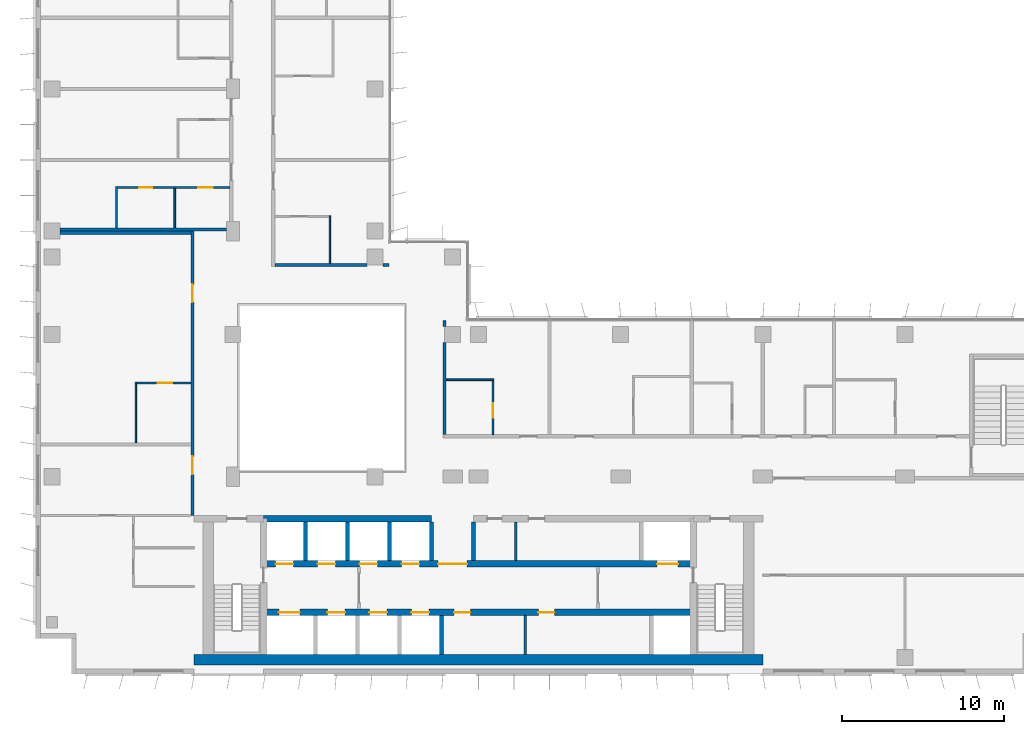
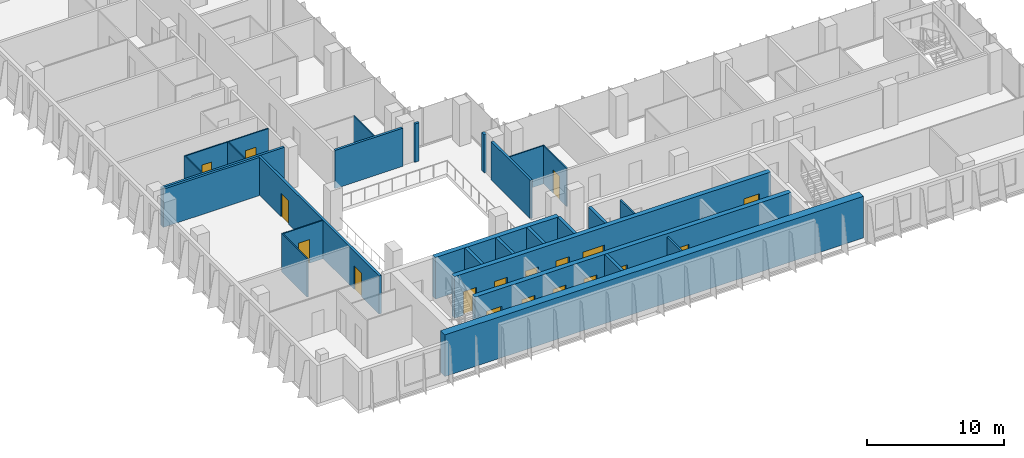
# One storey, part 13 of 21: 27 walls, 18 doors, 18 openings.
"""IFC4 building model written with IfcOpenShell, lengths in metres."""

from ifc_helpers import new_model, si_unit, direction, frame, frame_2d, origin, place, context, subcontext, project, spatial, rectangle, extrude, material, layer, layer_set, type_object, element, fill, save


model = new_model("IFC4")

# Units and contexts
model_context = context("Model", 3, precision=1e-05, world=origin(), true_north=direction((0.0, 1.0)))
body_context = subcontext(model_context, "Body", "Model", "MODEL_VIEW")
ifc_project = project(units=[si_unit("LENGTHUNIT", "METRE"), si_unit("AREAUNIT", "SQUARE_METRE"), si_unit("VOLUMEUNIT", "CUBIC_METRE"), si_unit("PLANEANGLEUNIT", "RADIAN"), si_unit("MASSUNIT", "GRAM", prefix="KILO")], contexts=[model_context])

# Site, building, storey
site_placement = place(None, origin())
site = spatial("IfcSite", under=ifc_project, at=site_placement, CompositionType="ELEMENT")
building_placement = place(site_placement, origin())
building = spatial("IfcBuilding", under=site, at=building_placement, Name="Kemantara Hotel Tower", CompositionType="ELEMENT")
storey_placement = place(building_placement, frame((0.0, 0.0, 175.300048828125)))
storey = spatial("IfcBuildingStorey", under=building, at=storey_placement, Name="L43", CompositionType="ELEMENT", Elevation=175.300048828125)

# Walls
ifc_material_1 = material(Name="Concrete fc 60 MPa", Category="concrete")
ifc_layer_1 = layer(ifc_material_1, 0.25)
ifc_layer_set_1 = layer_set([ifc_layer_1], Name="Concrete fc 60 MPa")
wall_type_1 = type_object("IfcWallType", Name="CORE WALL 250 FC60", PredefinedType="SHEAR", material=ifc_layer_set_1)
wall_1_placement = place(storey_placement, frame((25.10009765625, 1.199951171875, 0.0), z_axis=(0.0, 0.0, 1.0), x_axis=(0.0, 1.0, 0.0)))
element("IfcWall", 1, at=wall_1_placement, inside=storey, type_object=wall_type_1, Name="CORE WALL CW-DS25.1", PredefinedType="SHEAR", context=body_context, shape_type="SweptSolid", body=[
    extrude(rectangle(XDim=2.400146484375, YDim=0.25, at=frame_2d((1.2001953125, 0.0))), origin(), (0.0, 0.0, 1.0), 3.699951171875),
])
for number, where, z_axis, x_axis, name in (
    (2, (16.699951171875, 7.0, 0.0), (0.0, 0.0, 1.0), (0.0, 1.0, 0.0), "CORE WALL CW-DN16.7"),
    (3, (19.300048828125, 7.0, 0.0), (0.0, 0.0, 1.0), (0.0, 1.0, 0.0), "CORE WALL CW-DN19.3"),
    (4, (21.89990234375, 7.0, 0.0), (0.0, 0.0, 1.0), (0.0, 1.0, 0.0), "CORE WALL CW-DN21.9"),
    (5, (24.5, 7.0, 0.0), (0.0, 0.0, 1.0), (0.0, 1.0, 0.0), "CORE WALL CW-DN24.5"),
    (6, (27.10009765625, 7.0, 0.0), (0.0, 0.0, 1.0), (0.0, 1.0, 0.0), "CORE WALL CW-DN27.1"),
):
    element("IfcWall", number, at=place(storey_placement, frame(where, z_axis=z_axis, x_axis=x_axis)), inside=storey, type_object=wall_type_1, Name=name, PredefinedType="SHEAR", context=body_context, shape_type="SweptSolid", body=[
        extrude(rectangle(XDim=2.39990234375, YDim=0.25, at=frame_2d((1.199951171875, 0.0))), origin(), (0.0, 0.0, 1.0), 3.699951171875),
    ])
ifc_layer_2 = layer(ifc_material_1, 0.39990234375)
ifc_layer_set_2 = layer_set([ifc_layer_2], Name="Concrete fc 60 MPa")
wall_type_2 = type_object("IfcWallType", Name="CORE WALL 400 FC60", PredefinedType="SHEAR", material=ifc_layer_set_2)
wall_2_placement = place(storey_placement, frame((14.10009765625, 9.60009765625, 0.0), z_axis=(0.0, 0.0, 1.0), x_axis=(1.0, 0.0, 0.0)))
element("IfcWall", 7, at=wall_2_placement, inside=storey, type_object=wall_type_2, Name="CORE WALL CW-NN1", PredefinedType="SHEAR", context=body_context, shape_type="SweptSolid", body=[
    extrude(rectangle(XDim=10.39990234375, YDim=0.39990234375, at=frame_2d((5.199951171875, 0.0))), origin(), (0.0, 0.0, 1.0), 3.699951171875),
])

# Wall, openings, doors
wall_3_placement = place(storey_placement, frame((14.10009765625, 3.800048828125, 0.0), z_axis=(0.0, 0.0, 1.0), x_axis=(1.0, 0.0, 0.0)))
wall_3 = element("IfcWall", 8, at=wall_3_placement, inside=storey, type_object=wall_type_2, Name="CORE WALL CW-L1", PredefinedType="SHEAR", context=body_context, shape_type="SweptSolid", body=[
    extrude(rectangle(XDim=26.599853515625, YDim=0.39990234375, at=frame_2d((13.2998046875, 0.0))), origin(), (0.0, 0.0, 1.0), 3.699951171875),
])
opening_1_placement = place(wall_3_placement, frame((0.949951171875, 0.0, 0.0)))
opening_1 = element("IfcOpeningElement", 9, at=opening_1_placement, cuts=wall_3, Name="Opening C26-LD-FF1", PredefinedType="OPENING", context=body_context, shape_type="SweptSolid", body=[
    extrude(rectangle(XDim=1.300048828125, YDim=2.10009765625, at=frame_2d((0.64990234375, 1.050048828125))), frame((0.0, 0.2099609375, 0.0), z_axis=(0.0, -1.0, 0.0), x_axis=(1.0, 0.0, 0.0)), (0.0, 0.0, 1.0), 0.419921875),
])
opening_2_placement = place(wall_3_placement, frame((3.949951171875, 0.0, 0.0)))
opening_2 = element("IfcOpeningElement", 10, at=opening_2_placement, cuts=wall_3, Name="Opening C26-LD-SV1", PredefinedType="OPENING", context=body_context, shape_type="SweptSolid", body=[
    extrude(rectangle(XDim=1.10009765625, YDim=2.10009765625, at=frame_2d((0.550048828125, 1.050048828125))), frame((0.0, 0.2099609375, 0.0), z_axis=(0.0, -1.0, 0.0), x_axis=(1.0, 0.0, 0.0)), (0.0, 0.0, 1.0), 0.419921875),
])
opening_3_placement = place(wall_3_placement, frame((6.550048828125, 0.0, 0.0)))
opening_3 = element("IfcOpeningElement", 11, at=opening_3_placement, cuts=wall_3, Name="Opening C26-LD-SV2", PredefinedType="OPENING", context=body_context, shape_type="SweptSolid", body=[
    extrude(rectangle(XDim=1.10009765625, YDim=2.10009765625, at=frame_2d((0.550048828125, 1.050048828125))), frame((0.0, 0.2099609375, 0.0), z_axis=(0.0, -1.0, 0.0), x_axis=(1.0, 0.0, 0.0)), (0.0, 0.0, 1.0), 0.419921875),
])
opening_4_placement = place(wall_3_placement, frame((9.14990234375, 0.0, 0.0)))
opening_4 = element("IfcOpeningElement", 12, at=opening_4_placement, cuts=wall_3, Name="Opening C26-LD-SV3", PredefinedType="OPENING", context=body_context, shape_type="SweptSolid", body=[
    extrude(rectangle(XDim=1.10009765625, YDim=2.10009765625, at=frame_2d((0.550048828125, 1.050048828125))), frame((0.0, 0.2099609375, 0.0), z_axis=(0.0, -1.0, 0.0), x_axis=(1.0, 0.0, 0.0)), (0.0, 0.0, 1.0), 0.419921875),
])
opening_5_placement = place(wall_3_placement, frame((11.800048828125, 0.0, 0.0)))
opening_5 = element("IfcOpeningElement", 13, at=opening_5_placement, cuts=wall_3, Name="Opening C26-R-SM1", PredefinedType="OPENING", context=body_context, shape_type="SweptSolid", body=[
    extrude(rectangle(XDim=1.0, YDim=2.10009765625, at=frame_2d((0.5, 1.050048828125))), frame((0.0, 0.2099609375, 0.0), z_axis=(0.0, -1.0, 0.0), x_axis=(1.0, 0.0, 0.0)), (0.0, 0.0, 1.0), 0.419921875),
])
opening_6_placement = place(wall_3_placement, frame((17.0, 0.0, 0.0)))
opening_6 = element("IfcOpeningElement", 14, at=opening_6_placement, cuts=wall_3, Name="Opening C26-R-SM2", PredefinedType="OPENING", context=body_context, shape_type="SweptSolid", body=[
    extrude(rectangle(XDim=1.0, YDim=2.10009765625, at=frame_2d((0.5, 1.050048828125))), frame((0.0, 0.2099609375, 0.0), z_axis=(0.0, -1.0, 0.0), x_axis=(1.0, 0.0, 0.0)), (0.0, 0.0, 1.0), 0.419921875),
])
ifc_material_2 = material(Name="Steel fire door", Category="steel")
door_type_1 = type_object("IfcDoorType", Name="Fire door FD30S 1000 x 2100", OperationType="NOTDEFINED", PredefinedType="DOOR", material=ifc_material_2)
door_1_placement = place(opening_5_placement, frame((1.0, 0.0, 0.0), z_axis=(0.0, 0.0, 1.0), x_axis=(-1.0, 0.0, 0.0)))
door_1 = element("IfcDoor", 15, at=door_1_placement, inside=storey, type_object=door_type_1, Name="Staff Lounge door", OperationType="SINGLE_SWING_RIGHT", OverallHeight=2.10009765625, OverallWidth=1.0, PredefinedType="DOOR", context=body_context, shape_type="SweptSolid", body=[
    extrude(rectangle(XDim=1.0, YDim=2.10009765625, at=frame_2d((0.5, 1.050048828125))), frame((0.0, 0.02490234375, 0.0), z_axis=(0.0, -1.0, 0.0), x_axis=(1.0, 0.0, 0.0)), (0.0, 0.0, 1.0), 0.050048828125),
])
fill(opening_5, door_1)
door_2_placement = place(opening_6_placement, frame((1.0, 0.0, 0.0), z_axis=(0.0, 0.0, 1.0), x_axis=(-1.0, 0.0, 0.0)))
door_2 = element("IfcDoor", 16, at=door_2_placement, inside=storey, type_object=door_type_1, Name="Guest Pantry door", OperationType="SINGLE_SWING_LEFT", OverallHeight=2.10009765625, OverallWidth=1.0, PredefinedType="DOOR", context=body_context, shape_type="SweptSolid", body=[
    extrude(rectangle(XDim=1.0, YDim=2.10009765625, at=frame_2d((0.5, 1.050048828125))), frame((0.0, 0.02490234375, 0.0), z_axis=(0.0, -1.0, 0.0), x_axis=(1.0, 0.0, 0.0)), (0.0, 0.0, 1.0), 0.050048828125),
])
fill(opening_6, door_2)
ifc_material_3 = material(Name="Stainless steel lift door", Category="steel")
door_type_2 = type_object("IfcDoorType", Name="Lift landing door 1100 x 2100 FD60", OperationType="DOUBLE_DOOR_SLIDING", PredefinedType="DOOR", material=ifc_material_3)
door_3_placement = place(opening_2_placement, origin())
door_3 = element("IfcDoor", 17, at=door_3_placement, inside=storey, type_object=door_type_2, Name="Lift SV1 landing door", OperationType="DOUBLE_DOOR_SLIDING", OverallHeight=2.10009765625, OverallWidth=1.10009765625, PredefinedType="DOOR", context=body_context, shape_type="SweptSolid", body=[
    extrude(rectangle(XDim=1.10009765625, YDim=2.10009765625, at=frame_2d((0.550048828125, 1.050048828125))), frame((0.0, 0.02490234375, 0.0), z_axis=(0.0, -1.0, 0.0), x_axis=(1.0, 0.0, 0.0)), (0.0, 0.0, 1.0), 0.050048828125),
])
fill(opening_2, door_3)
door_4_placement = place(opening_3_placement, origin())
door_4 = element("IfcDoor", 18, at=door_4_placement, inside=storey, type_object=door_type_2, Name="Lift SV2 landing door", OperationType="DOUBLE_DOOR_SLIDING", OverallHeight=2.10009765625, OverallWidth=1.10009765625, PredefinedType="DOOR", context=body_context, shape_type="SweptSolid", body=[
    extrude(rectangle(XDim=1.10009765625, YDim=2.10009765625, at=frame_2d((0.550048828125, 1.050048828125))), frame((0.0, 0.02490234375, 0.0), z_axis=(0.0, -1.0, 0.0), x_axis=(1.0, 0.0, 0.0)), (0.0, 0.0, 1.0), 0.050048828125),
])
fill(opening_3, door_4)
door_5_placement = place(opening_4_placement, origin())
door_5 = element("IfcDoor", 19, at=door_5_placement, inside=storey, type_object=door_type_2, Name="Lift SV3 landing door", OperationType="DOUBLE_DOOR_SLIDING", OverallHeight=2.10009765625, OverallWidth=1.10009765625, PredefinedType="DOOR", context=body_context, shape_type="SweptSolid", body=[
    extrude(rectangle(XDim=1.10009765625, YDim=2.10009765625, at=frame_2d((0.550048828125, 1.050048828125))), frame((0.0, 0.02490234375, 0.0), z_axis=(0.0, -1.0, 0.0), x_axis=(1.0, 0.0, 0.0)), (0.0, 0.0, 1.0), 0.050048828125),
])
fill(opening_4, door_5)
door_type_3 = type_object("IfcDoorType", Name="Lift landing door 1300 x 2100 FD90", OperationType="DOUBLE_DOOR_SLIDING", PredefinedType="DOOR", material=ifc_material_3)
door_6_placement = place(opening_1_placement, origin())
door_6 = element("IfcDoor", 20, at=door_6_placement, inside=storey, type_object=door_type_3, Name="Lift FF1 landing door", OperationType="DOUBLE_DOOR_SLIDING", OverallHeight=2.10009765625, OverallWidth=1.300048828125, PredefinedType="DOOR", context=body_context, shape_type="SweptSolid", body=[
    extrude(rectangle(XDim=1.300048828125, YDim=2.10009765625, at=frame_2d((0.64990234375, 1.050048828125))), frame((0.0, 0.02490234375, 0.0), z_axis=(0.0, -1.0, 0.0), x_axis=(1.0, 0.0, 0.0)), (0.0, 0.0, 1.0), 0.050048828125),
])
fill(opening_1, door_6)

wall_4_placement = place(storey_placement, frame((14.10009765625, 6.800048828125, 0.0), z_axis=(0.0, 0.0, 1.0), x_axis=(1.0, 0.0, 0.0)))
wall_4 = element("IfcWall", 21, at=wall_4_placement, inside=storey, type_object=wall_type_2, Name="CORE WALL CW-L2", PredefinedType="SHEAR", context=body_context, shape_type="SweptSolid", body=[
    extrude(rectangle(XDim=26.599853515625, YDim=0.39990234375, at=frame_2d((13.2998046875, 0.0))), origin(), (0.0, 0.0, 1.0), 3.699951171875),
])
opening_7_placement = place(wall_4_placement, frame((10.800048828125, 0.0, 0.0)))
opening_7 = element("IfcOpeningElement", 22, at=opening_7_placement, cuts=wall_4, Name="Opening C26-VL", PredefinedType="OPENING", context=body_context, shape_type="SweptSolid", body=[
    extrude(rectangle(XDim=1.800048828125, YDim=2.10009765625, at=frame_2d((0.89990234375, 1.050048828125))), frame((0.0, 0.2099609375, 0.0), z_axis=(0.0, -1.0, 0.0), x_axis=(1.0, 0.0, 0.0)), (0.0, 0.0, 1.0), 0.419921875),
])
opening_8_placement = place(wall_4_placement, frame((0.75, 0.0, 0.0)))
opening_8 = element("IfcOpeningElement", 23, at=opening_8_placement, cuts=wall_4, Name="Opening C26-LD-MR1", PredefinedType="OPENING", context=body_context, shape_type="SweptSolid", body=[
    extrude(rectangle(XDim=1.10009765625, YDim=2.10009765625, at=frame_2d((0.550048828125, 1.050048828125))), frame((0.0, 0.2099609375, 0.0), z_axis=(0.0, -1.0, 0.0), x_axis=(1.0, 0.0, 0.0)), (0.0, 0.0, 1.0), 0.419921875),
])
opening_9_placement = place(wall_4_placement, frame((3.35009765625, 0.0, 0.0)))
opening_9 = element("IfcOpeningElement", 24, at=opening_9_placement, cuts=wall_4, Name="Opening C26-LD-MR2", PredefinedType="OPENING", context=body_context, shape_type="SweptSolid", body=[
    extrude(rectangle(XDim=1.10009765625, YDim=2.10009765625, at=frame_2d((0.550048828125, 1.050048828125))), frame((0.0, 0.2099609375, 0.0), z_axis=(0.0, -1.0, 0.0), x_axis=(1.0, 0.0, 0.0)), (0.0, 0.0, 1.0), 0.419921875),
])
opening_10_placement = place(wall_4_placement, frame((5.949951171875, 0.0, 0.0)))
opening_10 = element("IfcOpeningElement", 25, at=opening_10_placement, cuts=wall_4, Name="Opening C26-LD-MR3", PredefinedType="OPENING", context=body_context, shape_type="SweptSolid", body=[
    extrude(rectangle(XDim=1.10009765625, YDim=2.10009765625, at=frame_2d((0.550048828125, 1.050048828125))), frame((0.0, 0.2099609375, 0.0), z_axis=(0.0, -1.0, 0.0), x_axis=(1.0, 0.0, 0.0)), (0.0, 0.0, 1.0), 0.419921875),
])
opening_11_placement = place(wall_4_placement, frame((8.550048828125, 0.0, 0.0)))
opening_11 = element("IfcOpeningElement", 26, at=opening_11_placement, cuts=wall_4, Name="Opening C26-LD-MR4", PredefinedType="OPENING", context=body_context, shape_type="SweptSolid", body=[
    extrude(rectangle(XDim=1.10009765625, YDim=2.10009765625, at=frame_2d((0.550048828125, 1.050048828125))), frame((0.0, 0.2099609375, 0.0), z_axis=(0.0, -1.0, 0.0), x_axis=(1.0, 0.0, 0.0)), (0.0, 0.0, 1.0), 0.419921875),
])
opening_12_placement = place(wall_4_placement, frame((24.35009765625, 0.0, 0.0)))
opening_12 = element("IfcOpeningElement", 27, at=opening_12_placement, cuts=wall_4, Name="Opening C26-LD-FF2", PredefinedType="OPENING", context=body_context, shape_type="SweptSolid", body=[
    extrude(rectangle(XDim=1.300048828125, YDim=2.10009765625, at=frame_2d((0.64990234375, 1.050048828125))), frame((0.0, 0.2099609375, 0.0), z_axis=(0.0, -1.0, 0.0), x_axis=(1.0, 0.0, 0.0)), (0.0, 0.0, 1.0), 0.419921875),
])
door_type_4 = type_object("IfcDoorType", Name="Fire door pair FD60 1800 x 2100", OperationType="DOUBLE_DOOR_SINGLE_SWING", PredefinedType="DOOR", material=ifc_material_2)
door_7_placement = place(opening_7_placement, frame((1.800048828125, 0.0, 0.0), z_axis=(0.0, 0.0, 1.0), x_axis=(-1.0, 0.0, 0.0)))
door_7 = element("IfcDoor", 28, at=door_7_placement, inside=storey, type_object=door_type_4, Name="Lift lobby entry door", OperationType="DOUBLE_DOOR_SINGLE_SWING", OverallHeight=2.10009765625, OverallWidth=1.800048828125, PredefinedType="DOOR", context=body_context, shape_type="SweptSolid", body=[
    extrude(rectangle(XDim=1.800048828125, YDim=2.10009765625, at=frame_2d((0.89990234375, 1.050048828125))), frame((0.0, 0.02490234375, 0.0), z_axis=(0.0, -1.0, 0.0), x_axis=(1.0, 0.0, 0.0)), (0.0, 0.0, 1.0), 0.050048828125),
])
fill(opening_7, door_7)
door_8_placement = place(opening_8_placement, origin())
door_8 = element("IfcDoor", 29, at=door_8_placement, inside=storey, type_object=door_type_2, Name="Lift MR1 landing door", OperationType="DOUBLE_DOOR_SLIDING", OverallHeight=2.10009765625, OverallWidth=1.10009765625, PredefinedType="DOOR", context=body_context, shape_type="SweptSolid", body=[
    extrude(rectangle(XDim=1.10009765625, YDim=2.10009765625, at=frame_2d((0.550048828125, 1.050048828125))), frame((0.0, 0.02490234375, 0.0), z_axis=(0.0, -1.0, 0.0), x_axis=(1.0, 0.0, 0.0)), (0.0, 0.0, 1.0), 0.050048828125),
])
fill(opening_8, door_8)
door_9_placement = place(opening_9_placement, origin())
door_9 = element("IfcDoor", 30, at=door_9_placement, inside=storey, type_object=door_type_2, Name="Lift MR2 landing door", OperationType="DOUBLE_DOOR_SLIDING", OverallHeight=2.10009765625, OverallWidth=1.10009765625, PredefinedType="DOOR", context=body_context, shape_type="SweptSolid", body=[
    extrude(rectangle(XDim=1.10009765625, YDim=2.10009765625, at=frame_2d((0.550048828125, 1.050048828125))), frame((0.0, 0.02490234375, 0.0), z_axis=(0.0, -1.0, 0.0), x_axis=(1.0, 0.0, 0.0)), (0.0, 0.0, 1.0), 0.050048828125),
])
fill(opening_9, door_9)
door_10_placement = place(opening_10_placement, origin())
door_10 = element("IfcDoor", 31, at=door_10_placement, inside=storey, type_object=door_type_2, Name="Lift MR3 landing door", OperationType="DOUBLE_DOOR_SLIDING", OverallHeight=2.10009765625, OverallWidth=1.10009765625, PredefinedType="DOOR", context=body_context, shape_type="SweptSolid", body=[
    extrude(rectangle(XDim=1.10009765625, YDim=2.10009765625, at=frame_2d((0.550048828125, 1.050048828125))), frame((0.0, 0.02490234375, 0.0), z_axis=(0.0, -1.0, 0.0), x_axis=(1.0, 0.0, 0.0)), (0.0, 0.0, 1.0), 0.050048828125),
])
fill(opening_10, door_10)
door_11_placement = place(opening_11_placement, origin())
door_11 = element("IfcDoor", 32, at=door_11_placement, inside=storey, type_object=door_type_2, Name="Lift MR4 landing door", OperationType="DOUBLE_DOOR_SLIDING", OverallHeight=2.10009765625, OverallWidth=1.10009765625, PredefinedType="DOOR", context=body_context, shape_type="SweptSolid", body=[
    extrude(rectangle(XDim=1.10009765625, YDim=2.10009765625, at=frame_2d((0.550048828125, 1.050048828125))), frame((0.0, 0.02490234375, 0.0), z_axis=(0.0, -1.0, 0.0), x_axis=(1.0, 0.0, 0.0)), (0.0, 0.0, 1.0), 0.050048828125),
])
fill(opening_11, door_11)
door_12_placement = place(opening_12_placement, origin())
door_12 = element("IfcDoor", 33, at=door_12_placement, inside=storey, type_object=door_type_3, Name="Lift FF2 landing door", OperationType="DOUBLE_DOOR_SLIDING", OverallHeight=2.10009765625, OverallWidth=1.300048828125, PredefinedType="DOOR", context=body_context, shape_type="SweptSolid", body=[
    extrude(rectangle(XDim=1.300048828125, YDim=2.10009765625, at=frame_2d((0.64990234375, 1.050048828125))), frame((0.0, 0.02490234375, 0.0), z_axis=(0.0, -1.0, 0.0), x_axis=(1.0, 0.0, 0.0)), (0.0, 0.0, 1.0), 0.050048828125),
])
fill(opening_12, door_12)

# Wall
ifc_layer_3 = layer(ifc_material_1, 0.64990234375)
ifc_layer_set_3 = layer_set([ifc_layer_3], Name="Concrete fc 60 MPa")
wall_type_3 = type_object("IfcWallType", Name="CORE WALL 650 FC60", PredefinedType="SHEAR", material=ifc_layer_set_3)
wall_5_placement = place(storey_placement, frame((9.800048828125, 0.875, 0.0), z_axis=(0.0, 0.0, 1.0), x_axis=(1.0, 0.0, 0.0)))
element("IfcWall", 34, at=wall_5_placement, inside=storey, type_object=wall_type_3, Name="CORE WALL CW-S", PredefinedType="SHEAR", context=body_context, shape_type="SweptSolid", body=[
    extrude(rectangle(XDim=35.199951171875, YDim=0.64990234375, at=frame_2d((17.60009765625, 0.0))), origin(), (0.0, 0.0, 1.0), 3.699951171875),
])

# Wall, openings, doors
ifc_material_4 = material(Name="Gypsum board partition, steel studs and mineral wool, 200 mm", Category="steel")
ifc_layer_4 = layer(ifc_material_4, 0.199951171875)
ifc_layer_set_4 = layer_set([ifc_layer_4], Name="Gypsum board partition, steel studs and mineral wool, 200 mm")
wall_type_4 = type_object("IfcWallType", Name="CORRIDOR WALL 200", PredefinedType="PARTITIONING", material=ifc_layer_set_4)
wall_6_placement = place(storey_placement, frame((9.699951171875, 9.800048828125, 0.0), z_axis=(0.0, 0.0, 1.0), x_axis=(0.0, 1.0, 0.0)))
wall_6 = element("IfcWall", 35, at=wall_6_placement, inside=storey, type_object=wall_type_4, Name="CORRIDOR WALL 200 011", PredefinedType="PARTITIONING", context=body_context, shape_type="SweptSolid", body=[
    extrude(rectangle(XDim=17.599853515625, YDim=0.199951171875, at=frame_2d((8.7998046875, 0.0))), origin(), (0.0, 0.0, 1.0), 3.39990234375),
])
opening_13_placement = place(wall_6_placement, frame((2.550048828125, 0.0, 0.0)))
opening_13 = element("IfcOpeningElement", 36, at=opening_13_placement, cuts=wall_6, Name="Opening F20-014", PredefinedType="OPENING", context=body_context, shape_type="SweptSolid", body=[
    extrude(rectangle(XDim=1.10009765625, YDim=2.10009765625, at=frame_2d((0.550048828125, 1.050048828125))), frame((0.0, 0.10986328125, 0.0), z_axis=(0.0, -1.0, 0.0), x_axis=(1.0, 0.0, 0.0)), (0.0, 0.0, 1.0), 0.219970703125),
])
opening_14_placement = place(wall_6_placement, frame((13.199951171875, 0.0, 0.0)))
opening_14 = element("IfcOpeningElement", 37, at=opening_14_placement, cuts=wall_6, Name="Opening F20-018", PredefinedType="OPENING", context=body_context, shape_type="SweptSolid", body=[
    extrude(rectangle(XDim=1.10009765625, YDim=2.10009765625, at=frame_2d((0.550048828125, 1.050048828125))), frame((0.0, 0.10986328125, 0.0), z_axis=(0.0, -1.0, 0.0), x_axis=(1.0, 0.0, 0.0)), (0.0, 0.0, 1.0), 0.219970703125),
])
ifc_material_5 = material(Name="Hardwood veneer door leaf with steel frame", Category="steel")
door_type_5 = type_object("IfcDoorType", Name="SUITE ENTRANCE DOOR 1100 X 2100 FD30S", OperationType="NOTDEFINED", PredefinedType="DOOR", material=ifc_material_5)
door_13_placement = place(opening_13_placement, origin())
door_13 = element("IfcDoor", 38, at=door_13_placement, inside=storey, type_object=door_type_5, Name="SUITE ENTRANCE DOOR F20-014", OperationType="SINGLE_SWING_RIGHT", OverallHeight=2.10009765625, OverallWidth=1.10009765625, PredefinedType="DOOR", context=body_context, shape_type="SweptSolid", body=[
    extrude(rectangle(XDim=1.10009765625, YDim=2.10009765625, at=frame_2d((0.550048828125, 1.050048828125))), frame((0.0, 0.02490234375, 0.0), z_axis=(0.0, -1.0, 0.0), x_axis=(1.0, 0.0, 0.0)), (0.0, 0.0, 1.0), 0.050048828125),
])
fill(opening_13, door_13)
door_14_placement = place(opening_14_placement, origin())
door_14 = element("IfcDoor", 39, at=door_14_placement, inside=storey, type_object=door_type_5, Name="SUITE ENTRANCE DOOR F20-018", OperationType="SINGLE_SWING_RIGHT", OverallHeight=2.10009765625, OverallWidth=1.10009765625, PredefinedType="DOOR", context=body_context, shape_type="SweptSolid", body=[
    extrude(rectangle(XDim=1.10009765625, YDim=2.10009765625, at=frame_2d((0.550048828125, 1.050048828125))), frame((0.0, 0.02490234375, 0.0), z_axis=(0.0, -1.0, 0.0), x_axis=(1.0, 0.0, 0.0)), (0.0, 0.0, 1.0), 0.050048828125),
])
fill(opening_14, door_14)

# Walls
ifc_layer_5 = layer(ifc_material_4, 0.199951171875)
ifc_layer_set_5 = layer_set([ifc_layer_5], Name="Gypsum board partition, steel studs and mineral wool, 200 mm")
wall_type_5 = type_object("IfcWallType", Name="GUEST ROOM PARTY WALL 200", PredefinedType="PARTITIONING", material=ifc_layer_set_5)
wall_7_placement = place(storey_placement, frame((25.300048828125, 14.800048828125, 0.0), z_axis=(0.0, 0.0, 1.0), x_axis=(0.0, 1.0, 0.0)))
element("IfcWall", 40, at=wall_7_placement, inside=storey, type_object=wall_type_5, Name="GUEST ROOM PARTY WALL 200 005", PredefinedType="PARTITIONING", context=body_context, shape_type="SweptSolid", body=[
    extrude(rectangle(XDim=5.699951171875, YDim=0.199951171875, at=frame_2d((2.85009765625, 0.0))), origin(), (0.0, 0.0, 1.0), 3.39990234375),
])
wall_8_placement = place(storey_placement, frame((25.300048828125, 21.5, 0.0), z_axis=(0.0, 0.0, 1.0), x_axis=(0.0, 1.0, 0.0)))
element("IfcWall", 41, at=wall_8_placement, inside=storey, type_object=wall_type_5, Name="GUEST ROOM PARTY WALL 200 006", PredefinedType="PARTITIONING", context=body_context, shape_type="SweptSolid", body=[
    extrude(rectangle(XDim=0.3701171875, YDim=0.199951171875, at=frame_2d((0.18505859375, 0.0))), origin(), (0.0, 0.0, 1.0), 3.39990234375),
])
wall_9_placement = place(storey_placement, frame((1.5, 27.300048828125, 0.0), z_axis=(0.0, 0.0, 1.0), x_axis=(1.0, 0.0, 0.0)))
element("IfcWall", 42, at=wall_9_placement, inside=storey, type_object=wall_type_5, Name="GUEST ROOM PARTY WALL 200 013", PredefinedType="PARTITIONING", context=body_context, shape_type="SweptSolid", body=[
    extrude(rectangle(XDim=8.10009765625, YDim=0.199951171875, at=frame_2d((4.050048828125, 0.0))), origin(), (0.0, 0.0, 1.0), 3.39990234375),
])
wall_10_placement = place(storey_placement, frame((1.5, 27.5, 0.0), z_axis=(0.0, 0.0, 1.0), x_axis=(1.0, 0.0, 0.0)))
element("IfcWall", 43, at=wall_10_placement, inside=storey, type_object=wall_type_5, Name="GUEST ROOM PARTY WALL 200 018", PredefinedType="PARTITIONING", context=body_context, shape_type="SweptSolid", body=[
    extrude(rectangle(XDim=10.2998046875, YDim=0.199951171875, at=frame_2d((5.14990234375, 0.0))), origin(), (0.0, 0.0, 1.0), 3.39990234375),
])
wall_11_placement = place(storey_placement, frame((14.800048828125, 25.300048828125, 0.0), z_axis=(0.0, 0.0, 1.0), x_axis=(1.0, 0.0, 0.0)))
element("IfcWall", 44, at=wall_11_placement, inside=storey, type_object=wall_type_5, Name="GUEST ROOM PARTY WALL 200 026", PredefinedType="PARTITIONING", context=body_context, shape_type="SweptSolid", body=[
    extrude(rectangle(XDim=5.699951171875, YDim=0.199951171875, at=frame_2d((2.85009765625, 0.0))), origin(), (0.0, 0.0, 1.0), 3.39990234375),
])
wall_12_placement = place(storey_placement, frame((21.5, 25.300048828125, 0.0), z_axis=(0.0, 0.0, 1.0), x_axis=(1.0, 0.0, 0.0)))
element("IfcWall", 45, at=wall_12_placement, inside=storey, type_object=wall_type_5, Name="GUEST ROOM PARTY WALL 200 027", PredefinedType="PARTITIONING", context=body_context, shape_type="SweptSolid", body=[
    extrude(rectangle(XDim=0.3701171875, YDim=0.199951171875, at=frame_2d((0.18505859375, 0.0))), origin(), (0.0, 0.0, 1.0), 3.39990234375),
])
ifc_material_6 = material(Name="Gypsum board partition")
ifc_layer_6 = layer(ifc_material_6, 0.14990234375)
ifc_layer_set_6 = layer_set([ifc_layer_6], Name="Gypsum board partition")
wall_type_6 = type_object("IfcWallType", Name="Gypsum board partition 150 mm", PredefinedType="PARTITIONING", material=ifc_layer_set_6)
wall_13_placement = place(storey_placement, frame((29.699951171875, 7.0, 0.0), z_axis=(0.0, 0.0, 1.0), x_axis=(0.0, 1.0, 0.0)))
element("IfcWall", 46, at=wall_13_placement, inside=storey, type_object=wall_type_6, Name="Core room partition", PredefinedType="PARTITIONING", context=body_context, shape_type="SweptSolid", body=[
    extrude(rectangle(XDim=2.39990234375, YDim=0.14990234375, at=frame_2d((1.199951171875, 0.0))), origin(), (0.0, 0.0, 1.0), 3.39990234375),
])
wall_14_placement = place(storey_placement, frame((30.300048828125, 1.199951171875, 0.0), z_axis=(0.0, 0.0, 1.0), x_axis=(0.0, 1.0, 0.0)))
element("IfcWall", 47, at=wall_14_placement, inside=storey, type_object=wall_type_6, Name="Core room partition", PredefinedType="PARTITIONING", context=body_context, shape_type="SweptSolid", body=[
    extrude(rectangle(XDim=2.400146484375, YDim=0.14990234375, at=frame_2d((1.2001953125, 0.0))), origin(), (0.0, 0.0, 1.0), 3.39990234375),
])
ifc_material_7 = material(Name="Gypsum board partition on steel studs, 100 mm", Category="steel")
ifc_layer_7 = layer(ifc_material_7, 0.10009765625)
ifc_layer_set_7 = layer_set([ifc_layer_7], Name="Gypsum board partition on steel studs, 100 mm")
wall_type_7 = type_object("IfcWallType", Name="ROOM PARTITION 100", PredefinedType="PARTITIONING", material=ifc_layer_set_7)
wall_15_placement = place(storey_placement, frame((25.39990234375, 18.199951171875, 0.0), z_axis=(0.0, 0.0, 1.0), x_axis=(1.0, 0.0, 0.0)))
element("IfcWall", 48, at=wall_15_placement, inside=storey, type_object=wall_type_7, Name="ROOM PARTITION 100 032", PredefinedType="PARTITIONING", context=body_context, shape_type="SweptSolid", body=[
    extrude(rectangle(XDim=2.9501953125, YDim=0.10009765625, at=frame_2d((1.47509765625, 0.0))), origin(), (0.0, 0.0, 1.0), 3.39990234375),
])

# Wall, opening, door
wall_16_placement = place(storey_placement, frame((28.300048828125, 14.800048828125, 0.0), z_axis=(0.0, 0.0, 1.0), x_axis=(0.0, 1.0, 0.0)))
wall_16 = element("IfcWall", 49, at=wall_16_placement, inside=storey, type_object=wall_type_7, Name="ROOM PARTITION 100 034", PredefinedType="PARTITIONING", context=body_context, shape_type="SweptSolid", body=[
    extrude(rectangle(XDim=3.349853515625, YDim=0.10009765625, at=frame_2d((1.6748046875, 0.0))), origin(), (0.0, 0.0, 1.0), 3.39990234375),
])
opening_15_placement = place(wall_16_placement, frame((1.050048828125, 0.0, 0.0)))
opening_15 = element("IfcOpeningElement", 50, at=opening_15_placement, cuts=wall_16, Name="Opening F20-005", PredefinedType="OPENING", context=body_context, shape_type="SweptSolid", body=[
    extrude(rectangle(XDim=0.89990234375, YDim=2.10009765625, at=frame_2d((0.449951171875, 1.050048828125))), frame((0.0, 0.06005859375, 0.0), z_axis=(0.0, -1.0, 0.0), x_axis=(1.0, 0.0, 0.0)), (0.0, 0.0, 1.0), 0.1201171875),
])
door_type_6 = type_object("IfcDoorType", Name="BATHROOM DOOR 900 X 2100", OperationType="NOTDEFINED", PredefinedType="DOOR", material=ifc_material_5)
door_15_placement = place(opening_15_placement, origin())
door_15 = element("IfcDoor", 51, at=door_15_placement, inside=storey, type_object=door_type_6, Name="BATHROOM DOOR F20-005", OperationType="SINGLE_SWING_LEFT", OverallHeight=2.10009765625, OverallWidth=0.89990234375, PredefinedType="DOOR", context=body_context, shape_type="SweptSolid", body=[
    extrude(rectangle(XDim=0.89990234375, YDim=2.10009765625, at=frame_2d((0.449951171875, 1.050048828125))), frame((0.0, 0.02490234375, 0.0), z_axis=(0.0, -1.0, 0.0), x_axis=(1.0, 0.0, 0.0)), (0.0, 0.0, 1.0), 0.050048828125),
])
fill(opening_15, door_15)

wall_17_placement = place(storey_placement, frame((9.60009765625, 18.0, 0.0), z_axis=(0.0, 0.0, 1.0), x_axis=(-1.0, 0.0, 0.0)))
wall_17 = element("IfcWall", 52, at=wall_17_placement, inside=storey, type_object=wall_type_7, Name="ROOM PARTITION 100 037", PredefinedType="PARTITIONING", context=body_context, shape_type="SweptSolid", body=[
    extrude(rectangle(XDim=3.35009765625, YDim=0.10009765625, at=frame_2d((1.675048828125, 0.0))), origin(), (0.0, 0.0, 1.0), 3.39990234375),
])
opening_16_placement = place(wall_17_placement, frame((1.14990234375, 0.0, 0.0)))
opening_16 = element("IfcOpeningElement", 53, at=opening_16_placement, cuts=wall_17, Name="Opening F20-019", PredefinedType="OPENING", context=body_context, shape_type="SweptSolid", body=[
    extrude(rectangle(XDim=0.89990234375, YDim=2.10009765625, at=frame_2d((0.449951171875, 1.050048828125))), frame((0.0, 0.06005859375, 0.0), z_axis=(0.0, -1.0, 0.0), x_axis=(1.0, 0.0, 0.0)), (0.0, 0.0, 1.0), 0.1201171875),
])
door_16_placement = place(opening_16_placement, origin())
door_16 = element("IfcDoor", 54, at=door_16_placement, inside=storey, type_object=door_type_6, Name="BATHROOM DOOR F20-019", OperationType="SINGLE_SWING_LEFT", OverallHeight=2.10009765625, OverallWidth=0.89990234375, PredefinedType="DOOR", context=body_context, shape_type="SweptSolid", body=[
    extrude(rectangle(XDim=0.89990234375, YDim=2.10009765625, at=frame_2d((0.449951171875, 1.050048828125))), frame((0.0, 0.02490234375, 0.0), z_axis=(0.0, -1.0, 0.0), x_axis=(1.0, 0.0, 0.0)), (0.0, 0.0, 1.0), 0.050048828125),
])
fill(opening_16, door_16)

# Walls
wall_18_placement = place(storey_placement, frame((6.199951171875, 14.300048828125, 0.0), z_axis=(0.0, 0.0, 1.0), x_axis=(0.0, 1.0, 0.0)))
element("IfcWall", 55, at=wall_18_placement, inside=storey, type_object=wall_type_7, Name="ROOM PARTITION 100 047", PredefinedType="PARTITIONING", context=body_context, shape_type="SweptSolid", body=[
    extrude(rectangle(XDim=3.75, YDim=0.10009765625, at=frame_2d((1.875, 0.0))), origin(), (0.0, 0.0, 1.0), 3.39990234375),
])
wall_19_placement = place(storey_placement, frame((5.0, 27.60009765625, 0.0), z_axis=(0.0, 0.0, 1.0), x_axis=(0.0, 1.0, 0.0)))
element("IfcWall", 56, at=wall_19_placement, inside=storey, type_object=wall_type_7, Name="ROOM PARTITION 100 048", PredefinedType="PARTITIONING", context=body_context, shape_type="SweptSolid", body=[
    extrude(rectangle(XDim=2.5498046875, YDim=0.10009765625, at=frame_2d((1.27490234375, 0.0))), origin(), (0.0, 0.0, 1.0), 3.39990234375),
])
wall_20_placement = place(storey_placement, frame((8.60009765625, 27.60009765625, 0.0), z_axis=(0.0, 0.0, 1.0), x_axis=(0.0, 1.0, 0.0)))
element("IfcWall", 57, at=wall_20_placement, inside=storey, type_object=wall_type_7, Name="ROOM PARTITION 100 049", PredefinedType="PARTITIONING", context=body_context, shape_type="SweptSolid", body=[
    extrude(rectangle(XDim=2.449951171875, YDim=0.10009765625, at=frame_2d((1.22509765625, 0.0))), origin(), (0.0, 0.0, 1.0), 3.39990234375),
])

# Wall, openings, doors
wall_21_placement = place(storey_placement, frame((12.0, 30.10009765625, 0.0), z_axis=(0.0, 0.0, 1.0), x_axis=(-1.0, 0.0, 0.0)))
wall_21 = element("IfcWall", 58, at=wall_21_placement, inside=storey, type_object=wall_type_7, Name="ROOM PARTITION 100 051", PredefinedType="PARTITIONING", context=body_context, shape_type="SweptSolid", body=[
    extrude(rectangle(XDim=6.949951171875, YDim=0.10009765625, at=frame_2d((3.47509765625, 0.0))), origin(), (0.0, 0.0, 1.0), 3.39990234375),
])
opening_17_placement = place(wall_21_placement, frame((1.050048828125, 0.0, 0.0)))
opening_17 = element("IfcOpeningElement", 59, at=opening_17_placement, cuts=wall_21, Name="Opening F20-021", PredefinedType="OPENING", context=body_context, shape_type="SweptSolid", body=[
    extrude(rectangle(XDim=0.89990234375, YDim=2.10009765625, at=frame_2d((0.449951171875, 1.050048828125))), frame((0.0, 0.06005859375, 0.0), z_axis=(0.0, -1.0, 0.0), x_axis=(1.0, 0.0, 0.0)), (0.0, 0.0, 1.0), 0.1201171875),
])
opening_18_placement = place(wall_21_placement, frame((4.800048828125, 0.0, 0.0)))
opening_18 = element("IfcOpeningElement", 60, at=opening_18_placement, cuts=wall_21, Name="Opening F20-022", PredefinedType="OPENING", context=body_context, shape_type="SweptSolid", body=[
    extrude(rectangle(XDim=0.800048828125, YDim=2.10009765625, at=frame_2d((0.39990234375, 1.050048828125))), frame((0.0, 0.06005859375, 0.0), z_axis=(0.0, -1.0, 0.0), x_axis=(1.0, 0.0, 0.0)), (0.0, 0.0, 1.0), 0.1201171875),
])
door_17_placement = place(opening_17_placement, origin())
door_17 = element("IfcDoor", 61, at=door_17_placement, inside=storey, type_object=door_type_6, Name="BATHROOM DOOR F20-021", OperationType="SINGLE_SWING_LEFT", OverallHeight=2.10009765625, OverallWidth=0.89990234375, PredefinedType="DOOR", context=body_context, shape_type="SweptSolid", body=[
    extrude(rectangle(XDim=0.89990234375, YDim=2.10009765625, at=frame_2d((0.449951171875, 1.050048828125))), frame((0.0, 0.02490234375, 0.0), z_axis=(0.0, -1.0, 0.0), x_axis=(1.0, 0.0, 0.0)), (0.0, 0.0, 1.0), 0.050048828125),
])
fill(opening_17, door_17)
door_type_7 = type_object("IfcDoorType", Name="INTERNAL DOOR 800 X 2100", OperationType="NOTDEFINED", PredefinedType="DOOR", material=ifc_material_5)
door_18_placement = place(opening_18_placement, origin())
door_18 = element("IfcDoor", 62, at=door_18_placement, inside=storey, type_object=door_type_7, Name="INTERNAL DOOR F20-022", OperationType="SINGLE_SWING_LEFT", OverallHeight=2.10009765625, OverallWidth=0.800048828125, PredefinedType="DOOR", context=body_context, shape_type="SweptSolid", body=[
    extrude(rectangle(XDim=0.800048828125, YDim=2.10009765625, at=frame_2d((0.39990234375, 1.050048828125))), frame((0.0, 0.02490234375, 0.0), z_axis=(0.0, -1.0, 0.0), x_axis=(1.0, 0.0, 0.0)), (0.0, 0.0, 1.0), 0.050048828125),
])
fill(opening_18, door_18)

# Wall
wall_22_placement = place(storey_placement, frame((18.199951171875, 25.39990234375, 0.0), z_axis=(0.0, 0.0, 1.0), x_axis=(0.0, 1.0, 0.0)))
element("IfcWall", 63, at=wall_22_placement, inside=storey, type_object=wall_type_7, Name="ROOM PARTITION 100 060", PredefinedType="PARTITIONING", context=body_context, shape_type="SweptSolid", body=[
    extrude(rectangle(XDim=2.9501953125, YDim=0.10009765625, at=frame_2d((1.47509765625, 0.0))), origin(), (0.0, 0.0, 1.0), 3.39990234375),
])

save(model, "model.ifc")
